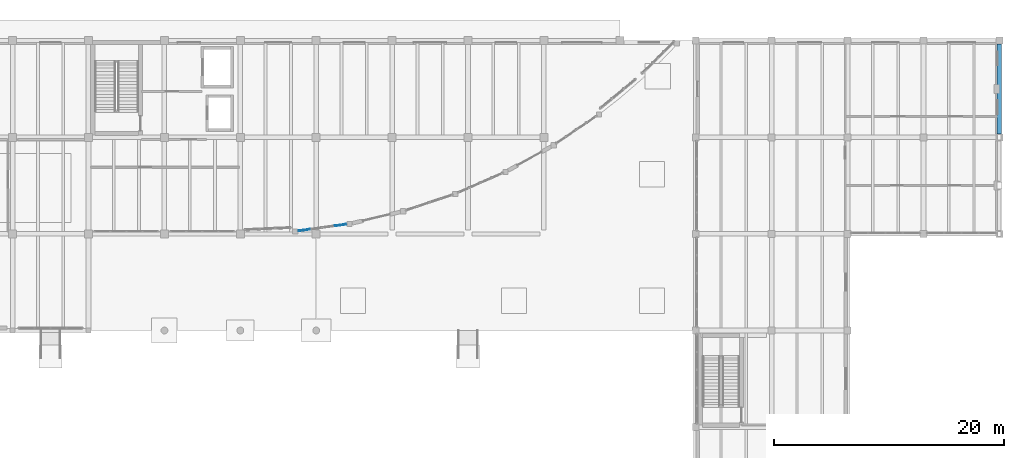
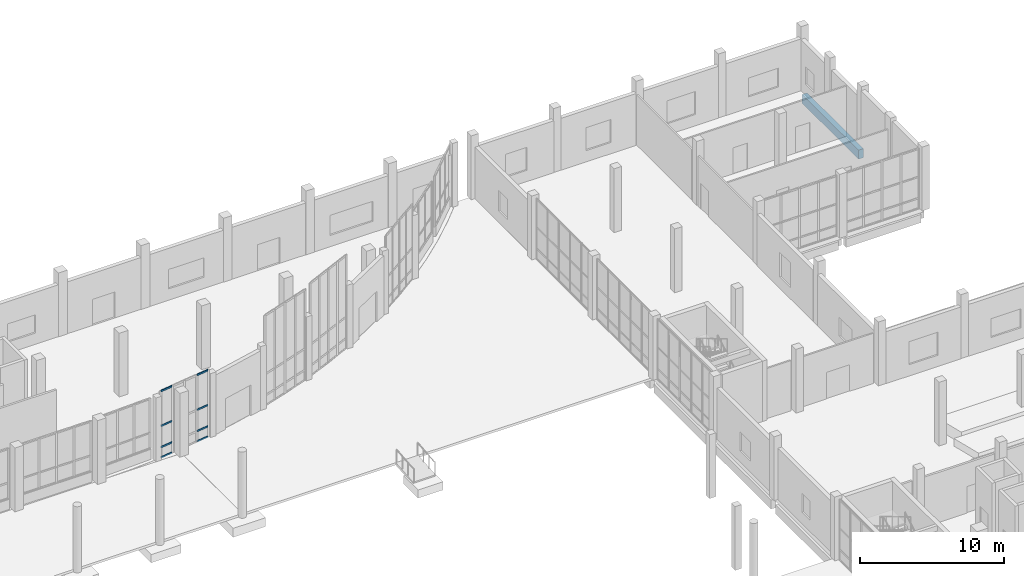
# One storey, part 27 of 64: 8 members, 1 beam, 1 element without a shape of its own.
"""IFC4 building model written with IfcOpenShell, lengths in metres."""

from ifc_helpers import new_model, si_unit, direction, frame, origin, origin_2d, place, context, subcontext, project, spatial, rectangle, extrude, material, material_profile, profile_set, type_object, element, aggregate, save


model = new_model("IFC4")

# Units and contexts
model_context = context("Model", 3, precision=1e-05, world=origin(), true_north=direction((0.0, 1.0)))
body_context = subcontext(model_context, "Body", "Model", "MODEL_VIEW")
ifc_project = project(units=[si_unit("LENGTHUNIT", "METRE"), si_unit("AREAUNIT", "SQUARE_METRE"), si_unit("VOLUMEUNIT", "CUBIC_METRE"), si_unit("PLANEANGLEUNIT", "RADIAN"), si_unit("MASSUNIT", "GRAM", prefix="KILO")], contexts=[model_context])

# Site, building, storey
site_placement = place(None, origin())
site = spatial("IfcSite", under=ifc_project, at=site_placement, CompositionType="ELEMENT")
building_placement = place(site_placement, origin())
building = spatial("IfcBuilding", under=site, at=building_placement, Name="Qaldarim Faculty of Natural and Applied Sciences", CompositionType="ELEMENT")
storey_placement = place(building_placement, origin())
storey = spatial("IfcBuildingStorey", under=building, at=storey_placement, Name="L00", CompositionType="ELEMENT", Elevation=0.0)

# Beam
ifc_material_1 = material(Name="Concrete C50/60", Category="concrete")
ifc_material_profile_1 = material_profile(ifc_material_1, rectangle(XDim=0.39990234375, YDim=0.75, at=origin_2d()), Name="RC-B400x750")
ifc_profile_set_1 = profile_set([ifc_material_profile_1], Name="Concrete C50/60")
beam_type = type_object("IfcBeamType", Name="LabGirder-RC400x750", PredefinedType="BEAM", material=ifc_profile_set_1)
beam_placement = place(storey_placement, frame((178.199951171875, 109.5, -0.735107421875), z_axis=(0.0, 1.0, 0.0), x_axis=(-1.0, 0.0, 0.0)))
element("IfcBeam", 1, at=beam_placement, inside=storey, type_object=beam_type, Name="Beam RC-B400x750 B01 X28/Y14-Y15", PredefinedType="BEAM", context=body_context, shape_type="SweptSolid", body=[
    extrude(rectangle(XDim=0.39990234375, YDim=0.75, at=origin_2d()), origin(), (0.0, 0.0, 1.0), 7.800048828125),
])

# Curtain wall, members
ifc_material_2 = material(Name="Anodised aluminium AW-6063", Category="aluminium")
curtain_wall_type = type_object("IfcCurtainWallType", Name="CurtainWallSystem-M1200", PredefinedType="USERDEFINED", material=ifc_material_2)
curtain_wall_placement = place(storey_placement, origin())
curtain_wall = element("IfcCurtainWall", 2, at=curtain_wall_placement, inside=storey, type_object=curtain_wall_type, Name="Curtain wall CW-PORT-ARCH-1", ObjectType="STICK CURTAIN WALL", PredefinedType="USERDEFINED")
ifc_material_profile_2 = material_profile(ifc_material_2, rectangle(XDim=0.070068359375, YDim=0.139892578125, at=origin_2d()), Name="ALU-T70x140")
ifc_profile_set_2 = profile_set([ifc_material_profile_2], Name="Anodised aluminium AW-6063")
member_type = type_object("IfcMemberType", Name="Transom-ALU70x140", PredefinedType="USERDEFINED", material=ifc_profile_set_2)
member_1_placement = place(storey_placement, frame((117.294189453125, 101.064697265625, 0.034912109375), z_axis=(0.990578468442, 0.136946332043, 0.0), x_axis=(-0.136946332043, 0.990578468442, 0.0)))
member_1 = element("IfcMember", 3, at=member_1_placement, type_object=member_type, Name="Transom 1-1 of CW-PORT-ARCH-1", ObjectType="TRANSOM", PredefinedType="USERDEFINED", context=body_context, shape_type="SweptSolid", body=[
    extrude(rectangle(XDim=0.070068359375, YDim=0.139892578125, at=origin_2d()), origin(), (0.0, 0.0, 1.0), 0.962646484375),
])
member_2_placement = place(storey_placement, frame((117.294189453125, 101.064697265625, 0.89990234375), z_axis=(0.990578468442, 0.136946332043, 0.0), x_axis=(-0.136946332043, 0.990578468442, 0.0)))
member_2 = element("IfcMember", 4, at=member_2_placement, type_object=member_type, Name="Transom 1-2 of CW-PORT-ARCH-1", ObjectType="TRANSOM", PredefinedType="USERDEFINED", context=body_context, shape_type="SweptSolid", body=[
    extrude(rectangle(XDim=0.070068359375, YDim=0.139892578125, at=origin_2d()), origin(), (0.0, 0.0, 1.0), 0.962646484375),
])
member_3_placement = place(storey_placement, frame((117.294189453125, 101.064697265625, 2.699951171875), z_axis=(0.990578468442, 0.136946332043, 0.0), x_axis=(-0.136946332043, 0.990578468442, 0.0)))
member_3 = element("IfcMember", 5, at=member_3_placement, type_object=member_type, Name="Transom 1-3 of CW-PORT-ARCH-1", ObjectType="TRANSOM", PredefinedType="USERDEFINED", context=body_context, shape_type="SweptSolid", body=[
    extrude(rectangle(XDim=0.070068359375, YDim=0.139892578125, at=origin_2d()), origin(), (0.0, 0.0, 1.0), 0.962646484375),
])
member_4_placement = place(storey_placement, frame((117.294189453125, 101.064697265625, 5.639892578125), z_axis=(0.990578468442, 0.136946332043, 0.0), x_axis=(-0.136946332043, 0.990578468442, 0.0)))
member_4 = element("IfcMember", 6, at=member_4_placement, type_object=member_type, Name="Transom 1-4 of CW-PORT-ARCH-1", ObjectType="TRANSOM", PredefinedType="USERDEFINED", context=body_context, shape_type="SweptSolid", body=[
    extrude(rectangle(XDim=0.070068359375, YDim=0.139892578125, at=origin_2d()), origin(), (0.0, 0.0, 1.0), 0.962646484375),
])
member_5_placement = place(storey_placement, frame((120.43212890625, 101.49853515625, 0.034912109375), z_axis=(0.990578468442, 0.136946332043, 0.0), x_axis=(-0.136946332043, 0.990578468442, 0.0)))
member_5 = element("IfcMember", 7, at=member_5_placement, type_object=member_type, Name="Transom 4-1 of CW-PORT-ARCH-1", ObjectType="TRANSOM", PredefinedType="USERDEFINED", context=body_context, shape_type="SweptSolid", body=[
    extrude(rectangle(XDim=0.070068359375, YDim=0.139892578125, at=origin_2d()), origin(), (0.0, 0.0, 1.0), 0.962646484375),
])
member_6_placement = place(storey_placement, frame((120.43212890625, 101.49853515625, 0.89990234375), z_axis=(0.990578468442, 0.136946332043, 0.0), x_axis=(-0.136946332043, 0.990578468442, 0.0)))
member_6 = element("IfcMember", 8, at=member_6_placement, type_object=member_type, Name="Transom 4-2 of CW-PORT-ARCH-1", ObjectType="TRANSOM", PredefinedType="USERDEFINED", context=body_context, shape_type="SweptSolid", body=[
    extrude(rectangle(XDim=0.070068359375, YDim=0.139892578125, at=origin_2d()), origin(), (0.0, 0.0, 1.0), 0.962646484375),
])
member_7_placement = place(storey_placement, frame((120.43212890625, 101.49853515625, 2.699951171875), z_axis=(0.990578468442, 0.136946332043, 0.0), x_axis=(-0.136946332043, 0.990578468442, 0.0)))
member_7 = element("IfcMember", 9, at=member_7_placement, type_object=member_type, Name="Transom 4-3 of CW-PORT-ARCH-1", ObjectType="TRANSOM", PredefinedType="USERDEFINED", context=body_context, shape_type="SweptSolid", body=[
    extrude(rectangle(XDim=0.070068359375, YDim=0.139892578125, at=origin_2d()), origin(), (0.0, 0.0, 1.0), 0.962646484375),
])
member_8_placement = place(storey_placement, frame((120.43212890625, 101.49853515625, 5.639892578125), z_axis=(0.990578468442, 0.136946332043, 0.0), x_axis=(-0.136946332043, 0.990578468442, 0.0)))
member_8 = element("IfcMember", 10, at=member_8_placement, type_object=member_type, Name="Transom 4-4 of CW-PORT-ARCH-1", ObjectType="TRANSOM", PredefinedType="USERDEFINED", context=body_context, shape_type="SweptSolid", body=[
    extrude(rectangle(XDim=0.070068359375, YDim=0.139892578125, at=origin_2d()), origin(), (0.0, 0.0, 1.0), 0.962646484375),
])
aggregate(curtain_wall, [member_1, member_2, member_3, member_4, member_5, member_6, member_7, member_8])

save(model, "model.ifc")
